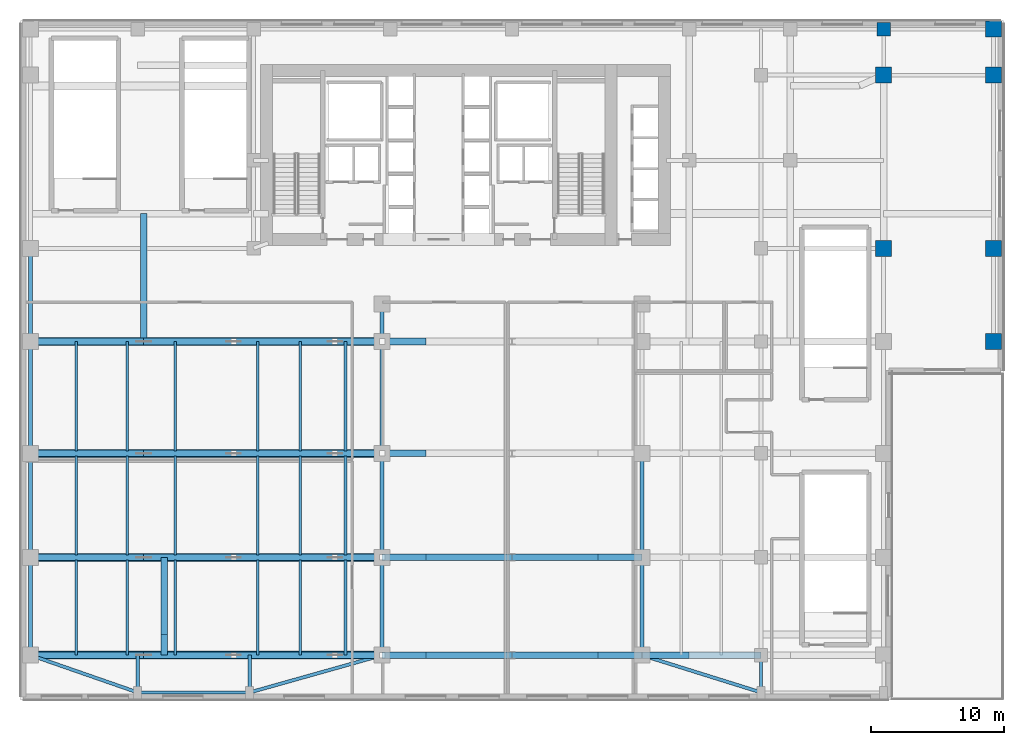
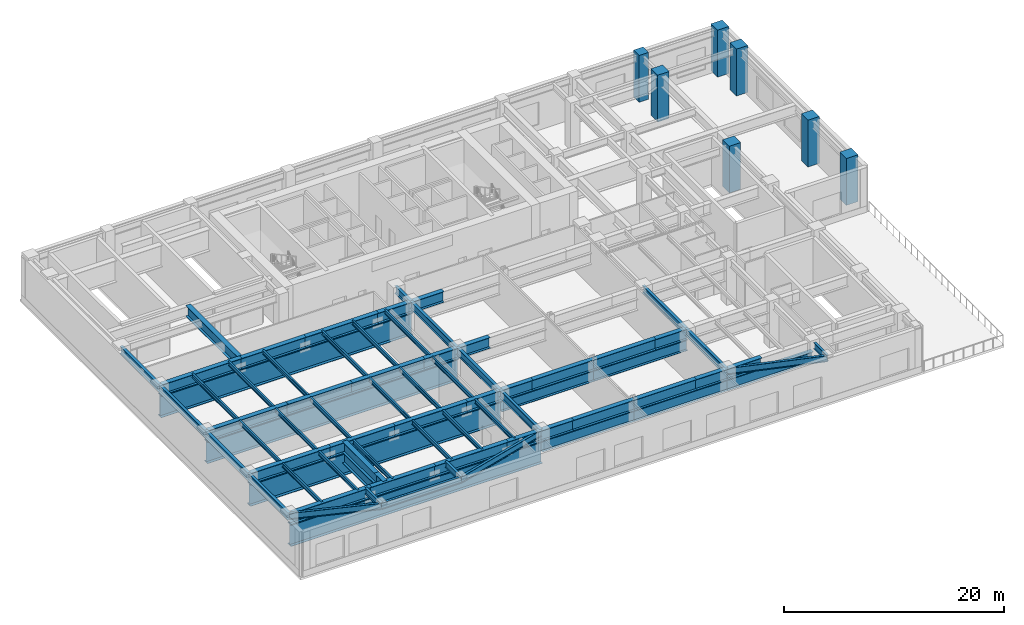
# One storey, part 2 of 14: 75 beams, 7 columns.
"""IFC4 building model written with IfcOpenShell, lengths in metres."""

from ifc_helpers import new_model, si_unit, direction, frame, origin, origin_2d, place, context, subcontext, project, spatial, rectangle, i_section, extrude, source, transform, mapped, material, material_profile, profile_set, type_object, type_shapes, element, save


model = new_model("IFC4")

# Units and contexts
model_context = context("Model", 3, precision=1e-05, world=origin(), true_north=direction((0.0, 1.0)))
body_context = subcontext(model_context, "Body", "Model", "MODEL_VIEW")
ifc_project = project(units=[si_unit("LENGTHUNIT", "METRE"), si_unit("AREAUNIT", "SQUARE_METRE"), si_unit("VOLUMEUNIT", "CUBIC_METRE"), si_unit("PLANEANGLEUNIT", "RADIAN"), si_unit("MASSUNIT", "GRAM", prefix="KILO")], contexts=[model_context])

# Site, building, storey
site_placement = place(None, origin())
site = spatial("IfcSite", under=ifc_project, at=site_placement, CompositionType="ELEMENT")
building_placement = place(site_placement, origin())
building = spatial("IfcBuilding", under=site, at=building_placement, Name="Tolvann Quenvar Hotel", CompositionType="ELEMENT")
storey_placement = place(building_placement, frame((0.0, 0.0, 26.800048828125)))
storey = spatial("IfcBuildingStorey", under=building, at=storey_placement, Name="L05", CompositionType="ELEMENT", Elevation=26.800048828125)

# Columns
ifc_material_1 = material(Name="Concrete S80 (80 MPa)", Category="concrete")
ifc_material_profile_1 = material_profile(ifc_material_1, rectangle(XDim=1.199951171875, YDim=1.199951171875, at=origin_2d()), Name="RC1200x1200")
ifc_profile_set_1 = profile_set([ifc_material_profile_1], Name="Concrete S80 (80 MPa)")
column_type_1 = type_object("IfcColumnType", Name="COL_RC1200", PredefinedType="COLUMN", material=ifc_profile_set_1)
shared_shape_1 = source(origin(), body_context, "Body", "SweptSolid", [
    extrude(rectangle(XDim=1.199951171875, YDim=1.199951171875, at=origin_2d()), origin(), (0.0, 0.0, 1.0), 5.199951171875),
])
type_shapes(column_type_1, [shared_shape_1])
for number, where, z_axis, x_axis, name in (
    (1, (64.64990234375, 24.39990234375, 0.0), (0.0, 0.0, 1.0), (1.0, 0.0, 0.0), "Column PK4 (L05)"),
    (2, (64.64990234375, 31.39990234375, 0.0), (0.0, 0.0, 1.0), (1.0, 0.0, 0.0), "Column PK5 (L05)"),
    (3, (64.64990234375, 44.39990234375, 0.0), (0.0, 0.0, 1.0), (1.0, 0.0, 0.0), "Column PK6 (L05)"),
    (4, (64.64990234375, 47.85009765625, 0.0), (0.0, 0.0, 1.0), (1.0, 0.0, 0.0), "Column PKN (L05)"),
    (5, (56.39990234375, 31.39990234375, 0.0), (0.0, 0.0, 1.0), (1.0, 0.0, 0.0), "Column PJ5 (L05)"),
    (6, (56.39990234375, 44.39990234375, 0.0), (0.0, 0.0, 1.0), (1.0, 0.0, 0.0), "Column PJ6 (L05)"),
):
    element("IfcColumn", number, at=place(storey_placement, frame(where, z_axis=z_axis, x_axis=x_axis)), inside=storey, type_object=column_type_1, Name=name, PredefinedType="COLUMN", context=body_context, shape_type="MappedRepresentation", body=[
        mapped(shared_shape_1, transform((0.0, 0.0, 0.0), x_axis=(1.0, 0.0, 0.0), y_axis=(0.0, 1.0, 0.0), z_axis=(0.0, 0.0, 1.0), scale=1.0)),
    ])
ifc_material_2 = material(Name="Concrete S65 (65 MPa)", Category="concrete")
ifc_material_profile_2 = material_profile(ifc_material_2, rectangle(XDim=1.0, YDim=1.0, at=origin_2d()), Name="RC1000x1000")
ifc_profile_set_2 = profile_set([ifc_material_profile_2], Name="Concrete S65 (65 MPa)")
column_type_2 = type_object("IfcColumnType", Name="COL_RC1000", PredefinedType="COLUMN", material=ifc_profile_set_2)
shared_shape_2 = source(origin(), body_context, "Body", "SweptSolid", [
    extrude(rectangle(XDim=1.0, YDim=1.0, at=origin_2d()), origin(), (0.0, 0.0, 1.0), 5.199951171875),
])
type_shapes(column_type_2, [shared_shape_2])
column_placement = place(storey_placement, frame((56.39990234375, 47.85009765625, 0.0), z_axis=(0.0, 0.0, 1.0), x_axis=(1.0, 0.0, 0.0)))
element("IfcColumn", 7, at=column_placement, inside=storey, type_object=column_type_2, Name="Column PN7 (L05)", PredefinedType="COLUMN", context=body_context, shape_type="MappedRepresentation", body=[
    mapped(shared_shape_2, transform((0.0, 0.0, 0.0), x_axis=(1.0, 0.0, 0.0), y_axis=(0.0, 1.0, 0.0), z_axis=(0.0, 0.0, 1.0), scale=1.0)),
])

# Beams
ifc_material_3 = material(Name="Steel Grade 350", Category="steel")
ifc_material_profile_3 = material_profile(ifc_material_3, i_section(OverallWidth=0.300048828125, OverallDepth=0.81591796875, WebThickness=0.010009765625, FlangeThickness=0.028076171875, at=origin_2d()), Name="800WB192")
ifc_profile_set_3 = profile_set([ifc_material_profile_3], Name="Steel Grade 350")
beam_type_1 = type_object("IfcBeamType", Name="BM_GIRD_800WB192", PredefinedType="BEAM", material=ifc_profile_set_3)
shared_shape_3 = source(origin(), body_context, "Body", "SweptSolid", [
    extrude(i_section(OverallWidth=0.300048828125, OverallDepth=0.81591796875, WebThickness=0.010009765625, FlangeThickness=0.028076171875, at=origin_2d()), origin(), (0.0, 0.0, 1.0), 7.349853515625),
])
for number, where, z_axis, x_axis, name in (
    (8, (-7.64990234375, 0.85009765625, 4.531982421875), (0.0, 1.0, 0.0), (-1.0, 0.0, 0.0), "BM-L05-NS-A-0"),
    (9, (18.75, 0.85009765625, 4.531982421875), (0.0, 1.0, 0.0), (-1.0, 0.0, 0.0), "BM-L05-NS-APW-0"),
    (10, (38.25, 0.85009765625, 4.531982421875), (0.0, 1.0, 0.0), (-1.0, 0.0, 0.0), "BM-L05-NS-APE-0"),
):
    element("IfcBeam", number, at=place(storey_placement, frame(where, z_axis=z_axis, x_axis=x_axis)), inside=storey, type_object=beam_type_1, Name=name, PredefinedType="BEAM", context=body_context, shape_type="MappedRepresentation", body=[
        mapped(shared_shape_3, transform((0.0, 0.0, 0.0), x_axis=(1.0, 0.0, 0.0), y_axis=(0.0, 1.0, 0.0), z_axis=(0.0, 0.0, 1.0), scale=1.0)),
    ])
shared_shape_4 = source(origin(), body_context, "Body", "SweptSolid", [
    extrude(i_section(OverallWidth=0.300048828125, OverallDepth=0.81591796875, WebThickness=0.010009765625, FlangeThickness=0.028076171875, at=origin_2d()), origin(), (0.0, 0.0, 1.0), 7.800048828125),
])
for number, where, z_axis, x_axis, name in (
    (11, (-7.64990234375, 8.199951171875, 4.531982421875), (0.0, 1.0, 0.0), (-1.0, 0.0, 0.0), "BM-L05-NS-A-1"),
    (12, (18.75, 8.199951171875, 4.531982421875), (0.0, 1.0, 0.0), (-1.0, 0.0, 0.0), "BM-L05-NS-APW-1"),
    (13, (38.25, 8.199951171875, 4.531982421875), (0.0, 1.0, 0.0), (-1.0, 0.0, 0.0), "BM-L05-NS-APE-1"),
):
    element("IfcBeam", number, at=place(storey_placement, frame(where, z_axis=z_axis, x_axis=x_axis)), inside=storey, type_object=beam_type_1, Name=name, PredefinedType="BEAM", context=body_context, shape_type="MappedRepresentation", body=[
        mapped(shared_shape_4, transform((0.0, 0.0, 0.0), x_axis=(1.0, 0.0, 0.0), y_axis=(0.0, 1.0, 0.0), z_axis=(0.0, 0.0, 1.0), scale=1.0)),
    ])
shared_shape_5 = source(origin(), body_context, "Body", "SweptSolid", [
    extrude(i_section(OverallWidth=0.300048828125, OverallDepth=0.81591796875, WebThickness=0.010009765625, FlangeThickness=0.028076171875, at=origin_2d()), origin(), (0.0, 0.0, 1.0), 8.39990234375),
])
for number, where, z_axis, x_axis, name in (
    (14, (-7.64990234375, 16.0, 4.531982421875), (0.0, 1.0, 0.0), (-1.0, 0.0, 0.0), "BM-L05-NS-A-2"),
    (15, (18.75, 16.0, 4.531982421875), (0.0, 1.0, 0.0), (-1.0, 0.0, 0.0), "BM-L05-NS-APW-2"),
):
    element("IfcBeam", number, at=place(storey_placement, frame(where, z_axis=z_axis, x_axis=x_axis)), inside=storey, type_object=beam_type_1, Name=name, PredefinedType="BEAM", context=body_context, shape_type="MappedRepresentation", body=[
        mapped(shared_shape_5, transform((0.0, 0.0, 0.0), x_axis=(1.0, 0.0, 0.0), y_axis=(0.0, 1.0, 0.0), z_axis=(0.0, 0.0, 1.0), scale=1.0)),
    ])
shared_shape_6 = source(origin(), body_context, "Body", "SweptSolid", [
    extrude(i_section(OverallWidth=0.300048828125, OverallDepth=0.81591796875, WebThickness=0.010009765625, FlangeThickness=0.028076171875, at=origin_2d()), origin(), (0.0, 0.0, 1.0), 2.800048828125),
])
beam_1_placement = place(storey_placement, frame((18.75, 24.39990234375, 4.531982421875), z_axis=(0.0, 1.0, 0.0), x_axis=(-1.0, 0.0, 0.0)))
element("IfcBeam", 16, at=beam_1_placement, inside=storey, type_object=beam_type_1, Name="BM-L05-NS-APW-3", PredefinedType="BEAM", context=body_context, shape_type="MappedRepresentation", body=[
    mapped(shared_shape_6, transform((0.0, 0.0, 0.0), x_axis=(1.0, 0.0, 0.0), y_axis=(0.0, 1.0, 0.0), z_axis=(0.0, 0.0, 1.0), scale=1.0)),
])
ifc_material_profile_4 = material_profile(ifc_material_3, i_section(OverallWidth=0.5, OverallDepth=1.199951171875, WebThickness=0.01611328125, FlangeThickness=0.0400390625, at=origin_2d()), Name="1200WB455")
ifc_profile_set_4 = profile_set([ifc_material_profile_4], Name="Steel Grade 350")
beam_type_2 = type_object("IfcBeamType", Name="BM_TG_1200WB455", PredefinedType="USERDEFINED", material=ifc_profile_set_4)
shared_shape_7 = source(origin(), body_context, "Body", "SweptSolid", [
    extrude(i_section(OverallWidth=0.5, OverallDepth=1.199951171875, WebThickness=0.01611328125, FlangeThickness=0.0400390625, at=origin_2d()), origin(), (0.0, 0.0, 1.0), 9.75),
])
for number, where, z_axis, x_axis, name in (
    (17, (18.75, 0.85009765625, 3.139892578125), (1.0, 0.0, 0.0), (0.0, 1.0, 0.0), "L05 Primary Transfer Carrier 1-1"),
    (18, (28.5, 0.85009765625, 3.139892578125), (1.0, 0.0, 0.0), (0.0, 1.0, 0.0), "L05 Primary Transfer Carrier 1-2"),
    (19, (18.75, 8.199951171875, 3.139892578125), (1.0, 0.0, 0.0), (0.0, 1.0, 0.0), "L05 Primary Transfer Carrier 2-1"),
    (20, (28.5, 8.199951171875, 3.139892578125), (1.0, 0.0, 0.0), (0.0, 1.0, 0.0), "L05 Primary Transfer Carrier 2-2"),
):
    element("IfcBeam", number, at=place(storey_placement, frame(where, z_axis=z_axis, x_axis=x_axis)), inside=storey, type_object=beam_type_2, Name=name, ObjectType="TRANSFER GIRDER", PredefinedType="USERDEFINED", context=body_context, shape_type="MappedRepresentation", body=[
        mapped(shared_shape_7, transform((0.0, 0.0, 0.0), x_axis=(1.0, 0.0, 0.0), y_axis=(0.0, 1.0, 0.0), z_axis=(0.0, 0.0, 1.0), scale=1.0)),
    ])
shared_shape_8 = source(origin(), body_context, "Body", "SweptSolid", [
    extrude(i_section(OverallWidth=0.5, OverallDepth=1.199951171875, WebThickness=0.01611328125, FlangeThickness=0.0400390625, at=origin_2d()), origin(), (0.0, 0.0, 1.0), 7.349853515625),
])
beam_2_placement = place(storey_placement, frame((2.39990234375, 0.85009765625, 3.139892578125), z_axis=(0.0, 1.0, 0.0), x_axis=(-1.0, 0.0, 0.0)))
element("IfcBeam", 21, at=beam_2_placement, inside=storey, type_object=beam_type_2, Name="TG-L05-CB2-SUB", ObjectType="TRANSFER GIRDER", PredefinedType="USERDEFINED", context=body_context, shape_type="MappedRepresentation", body=[
    mapped(shared_shape_8, transform((0.0, 0.0, 0.0), x_axis=(1.0, 0.0, 0.0), y_axis=(0.0, 1.0, 0.0), z_axis=(0.0, 0.0, 1.0), scale=1.0)),
])
shared_shape_9 = source(origin(), body_context, "Body", "SweptSolid", [
    extrude(i_section(OverallWidth=0.300048828125, OverallDepth=0.81591796875, WebThickness=0.010009765625, FlangeThickness=0.028076171875, at=origin_2d()), origin(), (0.0, 0.0, 1.0), 7.0),
])
type_shapes(beam_type_1, [shared_shape_3, shared_shape_4, shared_shape_5, shared_shape_6, shared_shape_9])
beam_3_placement = place(storey_placement, frame((-7.64990234375, 24.39990234375, 4.531982421875), z_axis=(0.0, 1.0, 0.0), x_axis=(-1.0, 0.0, 0.0)))
element("IfcBeam", 22, at=beam_3_placement, inside=storey, type_object=beam_type_1, Name="BM-L05-NS-A-3", PredefinedType="BEAM", context=body_context, shape_type="MappedRepresentation", body=[
    mapped(shared_shape_9, transform((0.0, 0.0, 0.0), x_axis=(1.0, 0.0, 0.0), y_axis=(0.0, 1.0, 0.0), z_axis=(0.0, 0.0, 1.0), scale=1.0)),
])
ifc_material_profile_5 = material_profile(ifc_material_3, i_section(OverallWidth=0.25, OverallDepth=0.699951171875, WebThickness=0.010009765625, FlangeThickness=0.02392578125, at=origin_2d()), Name="700WB150")
ifc_profile_set_5 = profile_set([ifc_material_profile_5], Name="Steel Grade 350")
beam_type_3 = type_object("IfcBeamType", Name="BM_GIRD_700WB150", PredefinedType="BEAM", material=ifc_profile_set_5)
shared_shape_10 = source(origin(), body_context, "Body", "SweptSolid", [
    extrude(i_section(OverallWidth=0.25, OverallDepth=0.699951171875, WebThickness=0.010009765625, FlangeThickness=0.02392578125, at=origin_2d()), origin(), (0.0, 0.0, 1.0), 2.349853515625),
])
beam_4_placement = place(storey_placement, frame((47.199951171875, -1.949951171875, 4.58984375), z_axis=(0.0, 1.0, 0.0), x_axis=(-1.0, 0.0, 0.0)))
element("IfcBeam", 23, at=beam_4_placement, inside=storey, type_object=beam_type_3, Name="BM-L05-NSS-H", PredefinedType="BEAM", context=body_context, shape_type="MappedRepresentation", body=[
    mapped(shared_shape_10, transform((0.0, 0.0, 0.0), x_axis=(1.0, 0.0, 0.0), y_axis=(0.0, 1.0, 0.0), z_axis=(0.0, 0.0, 1.0), scale=1.0)),
])
shared_shape_11 = source(origin(), body_context, "Body", "SweptSolid", [
    extrude(i_section(OverallWidth=0.25, OverallDepth=0.699951171875, WebThickness=0.010009765625, FlangeThickness=0.02392578125, at=origin_2d()), origin(), (0.0, 0.0, 1.0), 8.52294921875),
])
beam_5_placement = place(storey_placement, frame((-7.64990234375, 0.85009765625, 4.58984375), z_axis=(0.944492545724, -0.328532846261, 0.0), x_axis=(0.328532846261, 0.944492545724, 0.0)))
element("IfcBeam", 24, at=beam_5_placement, inside=storey, type_object=beam_type_3, Name="BM-L05-EWS-W0", PredefinedType="BEAM", context=body_context, shape_type="MappedRepresentation", body=[
    mapped(shared_shape_11, transform((0.0, 0.0, 0.0), x_axis=(1.0, 0.0, 0.0), y_axis=(0.0, 1.0, 0.0), z_axis=(0.0, 0.0, 1.0), scale=1.0)),
])
shared_shape_12 = source(origin(), body_context, "Body", "SweptSolid", [
    extrude(i_section(OverallWidth=0.25, OverallDepth=0.699951171875, WebThickness=0.010009765625, FlangeThickness=0.02392578125, at=origin_2d()), origin(), (0.0, 0.0, 1.0), 8.400146484375),
])
beam_6_placement = place(storey_placement, frame((0.39990234375, -1.949951171875, 4.58984375), z_axis=(1.0, 0.0, 0.0), x_axis=(0.0, 1.0, 0.0)))
element("IfcBeam", 25, at=beam_6_placement, inside=storey, type_object=beam_type_3, Name="BM-L05-EWS-W1", PredefinedType="BEAM", context=body_context, shape_type="MappedRepresentation", body=[
    mapped(shared_shape_12, transform((0.0, 0.0, 0.0), x_axis=(1.0, 0.0, 0.0), y_axis=(0.0, 1.0, 0.0), z_axis=(0.0, 0.0, 1.0), scale=1.0)),
])
shared_shape_13 = source(origin(), body_context, "Body", "SweptSolid", [
    extrude(i_section(OverallWidth=0.25, OverallDepth=0.699951171875, WebThickness=0.010009765625, FlangeThickness=0.02392578125, at=origin_2d()), origin(), (0.0, 0.0, 1.0), 10.33642578125),
])
beam_7_placement = place(storey_placement, frame((8.800048828125, -1.949951171875, 4.58984375), z_axis=(0.962609953155, 0.270891266169, 0.0), x_axis=(-0.270891266169, 0.962609953155, 0.0)))
element("IfcBeam", 26, at=beam_7_placement, inside=storey, type_object=beam_type_3, Name="BM-L05-EWS-W2", PredefinedType="BEAM", context=body_context, shape_type="MappedRepresentation", body=[
    mapped(shared_shape_13, transform((0.0, 0.0, 0.0), x_axis=(1.0, 0.0, 0.0), y_axis=(0.0, 1.0, 0.0), z_axis=(0.0, 0.0, 1.0), scale=1.0)),
])
shared_shape_14 = source(origin(), body_context, "Body", "SweptSolid", [
    extrude(i_section(OverallWidth=0.25, OverallDepth=0.699951171875, WebThickness=0.010009765625, FlangeThickness=0.02392578125, at=origin_2d()), origin(), (0.0, 0.0, 1.0), 9.377685546875),
])
beam_8_placement = place(storey_placement, frame((38.25, 0.85009765625, 4.58984375), z_axis=(0.954383110647, -0.298584792166, 0.0), x_axis=(0.298584792166, 0.954383110647, 0.0)))
element("IfcBeam", 27, at=beam_8_placement, inside=storey, type_object=beam_type_3, Name="BM-L05-EWS-E0", PredefinedType="BEAM", context=body_context, shape_type="MappedRepresentation", body=[
    mapped(shared_shape_14, transform((0.0, 0.0, 0.0), x_axis=(1.0, 0.0, 0.0), y_axis=(0.0, 1.0, 0.0), z_axis=(0.0, 0.0, 1.0), scale=1.0)),
])
shared_shape_15 = source(origin(), body_context, "Body", "SweptSolid", [
    extrude(i_section(OverallWidth=0.25, OverallDepth=0.699951171875, WebThickness=0.010009765625, FlangeThickness=0.02392578125, at=origin_2d()), origin(), (0.0, 0.0, 1.0), 2.800048828125),
])
type_shapes(beam_type_3, [shared_shape_10, shared_shape_11, shared_shape_12, shared_shape_13, shared_shape_14, shared_shape_15])
for number, where, z_axis, x_axis, name in (
    (28, (0.39990234375, -1.949951171875, 4.58984375), (0.0, 1.0, 0.0), (-1.0, 0.0, 0.0), "BM-L05-TIE-S-0"),
    (29, (8.800048828125, -1.949951171875, 4.58984375), (0.0, 1.0, 0.0), (-1.0, 0.0, 0.0), "BM-L05-TIE-S-8"),
):
    element("IfcBeam", number, at=place(storey_placement, frame(where, z_axis=z_axis, x_axis=x_axis)), inside=storey, type_object=beam_type_3, Name=name, PredefinedType="BEAM", context=body_context, shape_type="MappedRepresentation", body=[
        mapped(shared_shape_15, transform((0.0, 0.0, 0.0), x_axis=(1.0, 0.0, 0.0), y_axis=(0.0, 1.0, 0.0), z_axis=(0.0, 0.0, 1.0), scale=1.0)),
    ])
ifc_material_profile_6 = material_profile(ifc_material_3, i_section(OverallWidth=0.18994140625, OverallDepth=0.4541015625, WebThickness=0.008544921875, FlangeThickness=0.0126953125, FilletRadius=0.011474609375, at=origin_2d()), Name="460UB67")
ifc_profile_set_6 = profile_set([ifc_material_profile_6], Name="Steel Grade 350")
beam_type_4 = type_object("IfcBeamType", Name="BM_JOIST_460UB67", PredefinedType="JOIST", material=ifc_profile_set_6)
shared_shape_16 = source(origin(), body_context, "Body", "SweptSolid", [
    extrude(i_section(OverallWidth=0.18994140625, OverallDepth=0.4541015625, WebThickness=0.008544921875, FlangeThickness=0.0126953125, FilletRadius=0.011474609375, at=origin_2d()), origin(), (0.0, 0.0, 1.0), 7.164794921875),
])
for number, where, z_axis, x_axis, name in (
    (30, (-4.199951171875, 0.85009765625, 4.712890625), (0.0, 1.0, 0.0), (-1.0, 0.0, 0.0), "BJ-L05--42-8"),
    (31, (-0.39990234375, 0.85009765625, 4.712890625), (0.0, 1.0, 0.0), (-1.0, 0.0, 0.0), "BJ-L05--4-8"),
    (32, (3.199951171875, 0.85009765625, 4.712890625), (0.0, 1.0, 0.0), (-1.0, 0.0, 0.0), "BJ-L05-32-8"),
    (33, (9.39990234375, 0.85009765625, 4.712890625), (0.0, 1.0, 0.0), (-1.0, 0.0, 0.0), "BJ-L05-94-8"),
    (34, (12.60009765625, 0.85009765625, 4.712890625), (0.0, 1.0, 0.0), (-1.0, 0.0, 0.0), "BJ-L05-126-8"),
    (35, (16.0, 0.85009765625, 4.712890625), (0.0, 1.0, 0.0), (-1.0, 0.0, 0.0), "BJ-L05-160-8"),
):
    element("IfcBeam", number, at=place(storey_placement, frame(where, z_axis=z_axis, x_axis=x_axis)), inside=storey, type_object=beam_type_4, Name=name, PredefinedType="JOIST", context=body_context, shape_type="MappedRepresentation", body=[
        mapped(shared_shape_16, transform((0.0, 0.0, 0.0), x_axis=(1.0, 0.0, 0.0), y_axis=(0.0, 1.0, 0.0), z_axis=(0.0, 0.0, 1.0), scale=1.0)),
    ])
shared_shape_17 = source(origin(), body_context, "Body", "SweptSolid", [
    extrude(i_section(OverallWidth=0.18994140625, OverallDepth=0.4541015625, WebThickness=0.008544921875, FlangeThickness=0.0126953125, FilletRadius=0.011474609375, at=origin_2d()), origin(), (0.0, 0.0, 1.0), 7.429931640625),
])
for number, where, z_axis, x_axis, name in (
    (36, (-4.199951171875, 8.385009765625, 4.712890625), (0.0, 1.0, 0.0), (-1.0, 0.0, 0.0), "BJ-L05--42-82"),
    (37, (-0.39990234375, 8.385009765625, 4.712890625), (0.0, 1.0, 0.0), (-1.0, 0.0, 0.0), "BJ-L05--4-82"),
    (38, (3.199951171875, 8.385009765625, 4.712890625), (0.0, 1.0, 0.0), (-1.0, 0.0, 0.0), "BJ-L05-32-82"),
    (39, (9.39990234375, 8.385009765625, 4.712890625), (0.0, 1.0, 0.0), (-1.0, 0.0, 0.0), "BJ-L05-94-82"),
    (40, (12.60009765625, 8.385009765625, 4.712890625), (0.0, 1.0, 0.0), (-1.0, 0.0, 0.0), "BJ-L05-126-82"),
    (41, (16.0, 8.385009765625, 4.712890625), (0.0, 1.0, 0.0), (-1.0, 0.0, 0.0), "BJ-L05-160-82"),
):
    element("IfcBeam", number, at=place(storey_placement, frame(where, z_axis=z_axis, x_axis=x_axis)), inside=storey, type_object=beam_type_4, Name=name, PredefinedType="JOIST", context=body_context, shape_type="MappedRepresentation", body=[
        mapped(shared_shape_17, transform((0.0, 0.0, 0.0), x_axis=(1.0, 0.0, 0.0), y_axis=(0.0, 1.0, 0.0), z_axis=(0.0, 0.0, 1.0), scale=1.0)),
    ])
shared_shape_18 = source(origin(), body_context, "Body", "SweptSolid", [
    extrude(i_section(OverallWidth=0.18994140625, OverallDepth=0.4541015625, WebThickness=0.008544921875, FlangeThickness=0.0126953125, FilletRadius=0.011474609375, at=origin_2d()), origin(), (0.0, 0.0, 1.0), 8.21484375),
])
type_shapes(beam_type_4, [shared_shape_16, shared_shape_17, shared_shape_18])
for number, where, z_axis, x_axis, name in (
    (42, (-4.199951171875, 16.18505859375, 4.712890625), (0.0, 1.0, 0.0), (-1.0, 0.0, 0.0), "BJ-L05--42-160"),
    (43, (-0.39990234375, 16.18505859375, 4.712890625), (0.0, 1.0, 0.0), (-1.0, 0.0, 0.0), "BJ-L05--4-160"),
    (44, (3.199951171875, 16.18505859375, 4.712890625), (0.0, 1.0, 0.0), (-1.0, 0.0, 0.0), "BJ-L05-32-160"),
    (45, (9.39990234375, 16.18505859375, 4.712890625), (0.0, 1.0, 0.0), (-1.0, 0.0, 0.0), "BJ-L05-94-160"),
    (46, (12.60009765625, 16.18505859375, 4.712890625), (0.0, 1.0, 0.0), (-1.0, 0.0, 0.0), "BJ-L05-126-160"),
    (47, (16.0, 16.18505859375, 4.712890625), (0.0, 1.0, 0.0), (-1.0, 0.0, 0.0), "BJ-L05-160-160"),
):
    element("IfcBeam", number, at=place(storey_placement, frame(where, z_axis=z_axis, x_axis=x_axis)), inside=storey, type_object=beam_type_4, Name=name, PredefinedType="JOIST", context=body_context, shape_type="MappedRepresentation", body=[
        mapped(shared_shape_18, transform((0.0, 0.0, 0.0), x_axis=(1.0, 0.0, 0.0), y_axis=(0.0, 1.0, 0.0), z_axis=(0.0, 0.0, 1.0), scale=1.0)),
    ])
ifc_material_profile_7 = material_profile(ifc_material_3, i_section(OverallWidth=0.60009765625, OverallDepth=2.39990234375, WebThickness=0.02001953125, FlangeThickness=0.044921875, at=origin_2d()), Name="2400WB655")
ifc_profile_set_7 = profile_set([ifc_material_profile_7], Name="Steel Grade 350")
beam_type_5 = type_object("IfcBeamType", Name="BM_TG_2400WB655", PredefinedType="USERDEFINED", material=ifc_profile_set_7)
shared_shape_19 = source(origin(), body_context, "Body", "SweptSolid", [
    extrude(i_section(OverallWidth=0.60009765625, OverallDepth=2.39990234375, WebThickness=0.02001953125, FlangeThickness=0.044921875, at=origin_2d()), origin(), (0.0, 0.0, 1.0), 26.39990234375),
])
type_shapes(beam_type_5, [shared_shape_19])
for number, where, z_axis, x_axis, name in (
    (48, (-7.64990234375, 0.85009765625, 2.5400390625), (1.0, 0.0, 0.0), (0.0, 1.0, 0.0), "L05 Primary Transfer Carrier 1-0"),
    (49, (-7.64990234375, 8.199951171875, 2.5400390625), (1.0, 0.0, 0.0), (0.0, 1.0, 0.0), "L05 Primary Transfer Carrier 2-0"),
    (50, (-7.64990234375, 16.0, 2.5400390625), (1.0, 0.0, 0.0), (0.0, 1.0, 0.0), "L05 Primary Transfer Carrier 3-0"),
    (51, (-7.64990234375, 24.39990234375, 2.5400390625), (1.0, 0.0, 0.0), (0.0, 1.0, 0.0), "L05 Primary Transfer Carrier 4-0"),
):
    element("IfcBeam", number, at=place(storey_placement, frame(where, z_axis=z_axis, x_axis=x_axis)), inside=storey, type_object=beam_type_5, Name=name, ObjectType="TRANSFER GIRDER", PredefinedType="USERDEFINED", context=body_context, shape_type="MappedRepresentation", body=[
        mapped(shared_shape_19, transform((0.0, 0.0, 0.0), x_axis=(1.0, 0.0, 0.0), y_axis=(0.0, 1.0, 0.0), z_axis=(0.0, 0.0, 1.0), scale=1.0)),
    ])
shared_shape_20 = source(origin(), body_context, "Body", "SweptSolid", [
    extrude(i_section(OverallWidth=0.5, OverallDepth=1.199951171875, WebThickness=0.01611328125, FlangeThickness=0.0400390625, at=origin_2d()), origin(), (0.0, 0.0, 1.0), 8.949951171875),
])
beam_9_placement = place(storey_placement, frame((38.25, 0.85009765625, 3.139892578125), z_axis=(1.0, 0.0, 0.0), x_axis=(0.0, 1.0, 0.0)))
element("IfcBeam", 52, at=beam_9_placement, inside=storey, type_object=beam_type_2, Name="L05 Primary Transfer Carrier 1-3", ObjectType="TRANSFER GIRDER", PredefinedType="USERDEFINED", context=body_context, shape_type="MappedRepresentation", body=[
    mapped(shared_shape_20, transform((0.0, 0.0, 0.0), x_axis=(1.0, 0.0, 0.0), y_axis=(0.0, 1.0, 0.0), z_axis=(0.0, 0.0, 1.0), scale=1.0)),
])
shared_shape_21 = source(origin(), body_context, "Body", "SweptSolid", [
    extrude(i_section(OverallWidth=0.5, OverallDepth=1.199951171875, WebThickness=0.01611328125, FlangeThickness=0.0400390625, at=origin_2d()), origin(), (0.0, 0.0, 1.0), 8.5),
])
for number, where, z_axis, x_axis, name in (
    (53, (-7.64990234375, 0.85009765625, 4.33984375), (1.0, 0.0, 0.0), (0.0, 1.0, 0.0), "L05 Upper Transfer Grillage 1-0"),
    (54, (-7.64990234375, 8.199951171875, 4.33984375), (1.0, 0.0, 0.0), (0.0, 1.0, 0.0), "L05 Upper Transfer Grillage 2-0"),
    (55, (-7.64990234375, 16.0, 4.33984375), (1.0, 0.0, 0.0), (0.0, 1.0, 0.0), "L05 Upper Transfer Grillage 3-0"),
    (56, (-7.64990234375, 24.39990234375, 4.33984375), (1.0, 0.0, 0.0), (0.0, 1.0, 0.0), "L05 Upper Transfer Grillage 4-0"),
):
    element("IfcBeam", number, at=place(storey_placement, frame(where, z_axis=z_axis, x_axis=x_axis)), inside=storey, type_object=beam_type_2, Name=name, ObjectType="TRANSFER GIRDER", PredefinedType="USERDEFINED", context=body_context, shape_type="MappedRepresentation", body=[
        mapped(shared_shape_21, transform((0.0, 0.0, 0.0), x_axis=(1.0, 0.0, 0.0), y_axis=(0.0, 1.0, 0.0), z_axis=(0.0, 0.0, 1.0), scale=1.0)),
    ])
shared_shape_22 = source(origin(), body_context, "Body", "SweptSolid", [
    extrude(i_section(OverallWidth=0.5, OverallDepth=1.199951171875, WebThickness=0.01611328125, FlangeThickness=0.0400390625, at=origin_2d()), origin(), (0.0, 0.0, 1.0), 6.75),
])
for number, where, z_axis, x_axis, name in (
    (57, (0.85009765625, 0.85009765625, 4.33984375), (1.0, 0.0, 0.0), (0.0, 1.0, 0.0), "L05 Upper Transfer Grillage 1-1"),
    (58, (0.85009765625, 8.199951171875, 4.33984375), (1.0, 0.0, 0.0), (0.0, 1.0, 0.0), "L05 Upper Transfer Grillage 2-1"),
    (59, (0.85009765625, 16.0, 4.33984375), (1.0, 0.0, 0.0), (0.0, 1.0, 0.0), "L05 Upper Transfer Grillage 3-1"),
    (60, (0.85009765625, 24.39990234375, 4.33984375), (1.0, 0.0, 0.0), (0.0, 1.0, 0.0), "L05 Upper Transfer Grillage 4-1"),
):
    element("IfcBeam", number, at=place(storey_placement, frame(where, z_axis=z_axis, x_axis=x_axis)), inside=storey, type_object=beam_type_2, Name=name, ObjectType="TRANSFER GIRDER", PredefinedType="USERDEFINED", context=body_context, shape_type="MappedRepresentation", body=[
        mapped(shared_shape_22, transform((0.0, 0.0, 0.0), x_axis=(1.0, 0.0, 0.0), y_axis=(0.0, 1.0, 0.0), z_axis=(0.0, 0.0, 1.0), scale=1.0)),
    ])
shared_shape_23 = source(origin(), body_context, "Body", "SweptSolid", [
    extrude(i_section(OverallWidth=0.5, OverallDepth=1.199951171875, WebThickness=0.01611328125, FlangeThickness=0.0400390625, at=origin_2d()), origin(), (0.0, 0.0, 1.0), 7.599853515625),
])
for number, where, z_axis, x_axis, name in (
    (61, (7.60009765625, 0.85009765625, 4.33984375), (1.0, 0.0, 0.0), (0.0, 1.0, 0.0), "L05 Upper Transfer Grillage 1-2"),
    (62, (7.60009765625, 8.199951171875, 4.33984375), (1.0, 0.0, 0.0), (0.0, 1.0, 0.0), "L05 Upper Transfer Grillage 2-2"),
    (63, (7.60009765625, 16.0, 4.33984375), (1.0, 0.0, 0.0), (0.0, 1.0, 0.0), "L05 Upper Transfer Grillage 3-2"),
    (64, (7.60009765625, 24.39990234375, 4.33984375), (1.0, 0.0, 0.0), (0.0, 1.0, 0.0), "L05 Upper Transfer Grillage 4-2"),
):
    element("IfcBeam", number, at=place(storey_placement, frame(where, z_axis=z_axis, x_axis=x_axis)), inside=storey, type_object=beam_type_2, Name=name, ObjectType="TRANSFER GIRDER", PredefinedType="USERDEFINED", context=body_context, shape_type="MappedRepresentation", body=[
        mapped(shared_shape_23, transform((0.0, 0.0, 0.0), x_axis=(1.0, 0.0, 0.0), y_axis=(0.0, 1.0, 0.0), z_axis=(0.0, 0.0, 1.0), scale=1.0)),
    ])
shared_shape_24 = source(origin(), body_context, "Body", "SweptSolid", [
    extrude(i_section(OverallWidth=0.5, OverallDepth=1.199951171875, WebThickness=0.01611328125, FlangeThickness=0.0400390625, at=origin_2d()), origin(), (0.0, 0.0, 1.0), 3.550048828125),
])
for number, where, z_axis, x_axis, name in (
    (65, (15.199951171875, 0.85009765625, 4.33984375), (1.0, 0.0, 0.0), (0.0, 1.0, 0.0), "L05 Upper Transfer Grillage 1-3"),
    (66, (38.25, 0.85009765625, 4.33984375), (1.0, 0.0, 0.0), (0.0, 1.0, 0.0), "L05 Upper Transfer Grillage 1-8"),
    (67, (15.199951171875, 8.199951171875, 4.33984375), (1.0, 0.0, 0.0), (0.0, 1.0, 0.0), "L05 Upper Transfer Grillage 2-3"),
    (68, (15.199951171875, 16.0, 4.33984375), (1.0, 0.0, 0.0), (0.0, 1.0, 0.0), "L05 Upper Transfer Grillage 3-3"),
    (69, (15.199951171875, 24.39990234375, 4.33984375), (1.0, 0.0, 0.0), (0.0, 1.0, 0.0), "L05 Upper Transfer Grillage 4-3"),
):
    element("IfcBeam", number, at=place(storey_placement, frame(where, z_axis=z_axis, x_axis=x_axis)), inside=storey, type_object=beam_type_2, Name=name, ObjectType="TRANSFER GIRDER", PredefinedType="USERDEFINED", context=body_context, shape_type="MappedRepresentation", body=[
        mapped(shared_shape_24, transform((0.0, 0.0, 0.0), x_axis=(1.0, 0.0, 0.0), y_axis=(0.0, 1.0, 0.0), z_axis=(0.0, 0.0, 1.0), scale=1.0)),
    ])
shared_shape_25 = source(origin(), body_context, "Body", "SweptSolid", [
    extrude(i_section(OverallWidth=0.5, OverallDepth=1.199951171875, WebThickness=0.01611328125, FlangeThickness=0.0400390625, at=origin_2d()), origin(), (0.0, 0.0, 1.0), 3.300048828125),
])
for number, where, z_axis, x_axis, name in (
    (70, (18.75, 0.85009765625, 4.33984375), (1.0, 0.0, 0.0), (0.0, 1.0, 0.0), "L05 Upper Transfer Grillage 1-4"),
    (71, (34.949951171875, 0.85009765625, 4.33984375), (1.0, 0.0, 0.0), (0.0, 1.0, 0.0), "L05 Upper Transfer Grillage 1-7"),
    (72, (18.75, 8.199951171875, 4.33984375), (1.0, 0.0, 0.0), (0.0, 1.0, 0.0), "L05 Upper Transfer Grillage 2-4"),
    (73, (34.949951171875, 8.199951171875, 4.33984375), (1.0, 0.0, 0.0), (0.0, 1.0, 0.0), "L05 Upper Transfer Grillage 2-7"),
    (74, (18.75, 16.0, 4.33984375), (1.0, 0.0, 0.0), (0.0, 1.0, 0.0), "L05 Upper Transfer Grillage 3-4"),
    (75, (18.75, 24.39990234375, 4.33984375), (1.0, 0.0, 0.0), (0.0, 1.0, 0.0), "L05 Upper Transfer Grillage 4-4"),
):
    element("IfcBeam", number, at=place(storey_placement, frame(where, z_axis=z_axis, x_axis=x_axis)), inside=storey, type_object=beam_type_2, Name=name, ObjectType="TRANSFER GIRDER", PredefinedType="USERDEFINED", context=body_context, shape_type="MappedRepresentation", body=[
        mapped(shared_shape_25, transform((0.0, 0.0, 0.0), x_axis=(1.0, 0.0, 0.0), y_axis=(0.0, 1.0, 0.0), z_axis=(0.0, 0.0, 1.0), scale=1.0)),
    ])
shared_shape_26 = source(origin(), body_context, "Body", "SweptSolid", [
    extrude(i_section(OverallWidth=0.5, OverallDepth=1.199951171875, WebThickness=0.01611328125, FlangeThickness=0.0400390625, at=origin_2d()), origin(), (0.0, 0.0, 1.0), 6.449951171875),
])
for number, where, z_axis, x_axis, name in (
    (76, (22.050048828125, 0.85009765625, 4.33984375), (1.0, 0.0, 0.0), (0.0, 1.0, 0.0), "L05 Upper Transfer Grillage 1-5"),
    (77, (28.5, 0.85009765625, 4.33984375), (1.0, 0.0, 0.0), (0.0, 1.0, 0.0), "L05 Upper Transfer Grillage 1-6"),
    (78, (22.050048828125, 8.199951171875, 4.33984375), (1.0, 0.0, 0.0), (0.0, 1.0, 0.0), "L05 Upper Transfer Grillage 2-5"),
    (79, (28.5, 8.199951171875, 4.33984375), (1.0, 0.0, 0.0), (0.0, 1.0, 0.0), "L05 Upper Transfer Grillage 2-6"),
):
    element("IfcBeam", number, at=place(storey_placement, frame(where, z_axis=z_axis, x_axis=x_axis)), inside=storey, type_object=beam_type_2, Name=name, ObjectType="TRANSFER GIRDER", PredefinedType="USERDEFINED", context=body_context, shape_type="MappedRepresentation", body=[
        mapped(shared_shape_26, transform((0.0, 0.0, 0.0), x_axis=(1.0, 0.0, 0.0), y_axis=(0.0, 1.0, 0.0), z_axis=(0.0, 0.0, 1.0), scale=1.0)),
    ])
shared_shape_27 = source(origin(), body_context, "Body", "SweptSolid", [
    extrude(i_section(OverallWidth=0.5, OverallDepth=1.199951171875, WebThickness=0.01611328125, FlangeThickness=0.0400390625, at=origin_2d()), origin(), (0.0, 0.0, 1.0), 1.5498046875),
])
beam_10_placement = place(storey_placement, frame((2.39990234375, 0.85009765625, 4.33984375), z_axis=(0.0, 1.0, 0.0), x_axis=(-1.0, 0.0, 0.0)))
element("IfcBeam", 80, at=beam_10_placement, inside=storey, type_object=beam_type_2, Name="TG-L05-CB2-NS1", ObjectType="TRANSFER GIRDER", PredefinedType="USERDEFINED", context=body_context, shape_type="MappedRepresentation", body=[
    mapped(shared_shape_27, transform((0.0, 0.0, 0.0), x_axis=(1.0, 0.0, 0.0), y_axis=(0.0, 1.0, 0.0), z_axis=(0.0, 0.0, 1.0), scale=1.0)),
])
shared_shape_28 = source(origin(), body_context, "Body", "SweptSolid", [
    extrude(i_section(OverallWidth=0.5, OverallDepth=1.199951171875, WebThickness=0.01611328125, FlangeThickness=0.0400390625, at=origin_2d()), origin(), (0.0, 0.0, 1.0), 5.800048828125),
])
beam_11_placement = place(storey_placement, frame((2.39990234375, 2.39990234375, 4.33984375), z_axis=(0.0, 1.0, 0.0), x_axis=(-1.0, 0.0, 0.0)))
element("IfcBeam", 81, at=beam_11_placement, inside=storey, type_object=beam_type_2, Name="TG-L05-CB2-NS2", ObjectType="TRANSFER GIRDER", PredefinedType="USERDEFINED", context=body_context, shape_type="MappedRepresentation", body=[
    mapped(shared_shape_28, transform((0.0, 0.0, 0.0), x_axis=(1.0, 0.0, 0.0), y_axis=(0.0, 1.0, 0.0), z_axis=(0.0, 0.0, 1.0), scale=1.0)),
])
shared_shape_29 = source(origin(), body_context, "Body", "SweptSolid", [
    extrude(i_section(OverallWidth=0.5, OverallDepth=1.199951171875, WebThickness=0.01611328125, FlangeThickness=0.0400390625, at=origin_2d()), origin(), (0.0, 0.0, 1.0), 9.60009765625),
])
type_shapes(beam_type_2, [shared_shape_7, shared_shape_8, shared_shape_20, shared_shape_21, shared_shape_22, shared_shape_23, shared_shape_24, shared_shape_25, shared_shape_26, shared_shape_27, shared_shape_28, shared_shape_29])
beam_12_placement = place(storey_placement, frame((0.85009765625, 24.39990234375, 4.33984375), z_axis=(0.0, 1.0, 0.0), x_axis=(-1.0, 0.0, 0.0)))
element("IfcBeam", 82, at=beam_12_placement, inside=storey, type_object=beam_type_2, Name="TG-L05-NS-085", ObjectType="TRANSFER GIRDER", PredefinedType="USERDEFINED", context=body_context, shape_type="MappedRepresentation", body=[
    mapped(shared_shape_29, transform((0.0, 0.0, 0.0), x_axis=(1.0, 0.0, 0.0), y_axis=(0.0, 1.0, 0.0), z_axis=(0.0, 0.0, 1.0), scale=1.0)),
])

save(model, "model.ifc")
